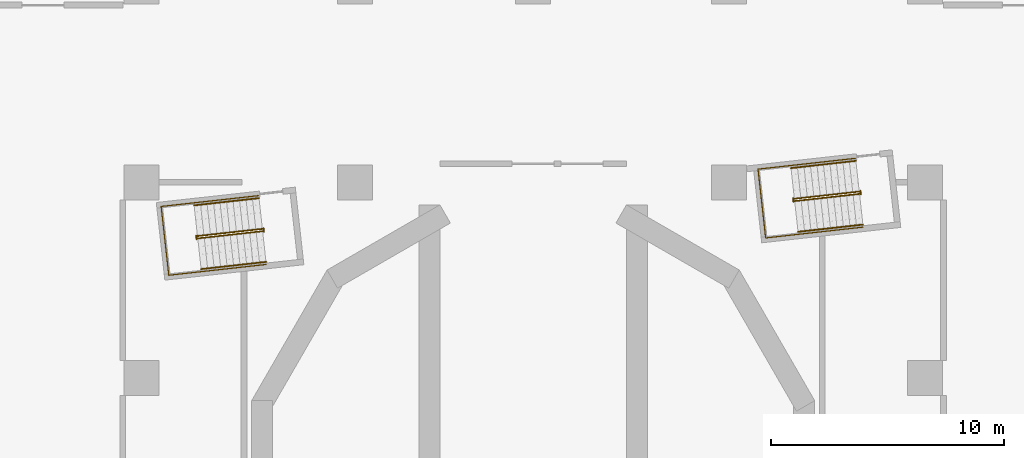
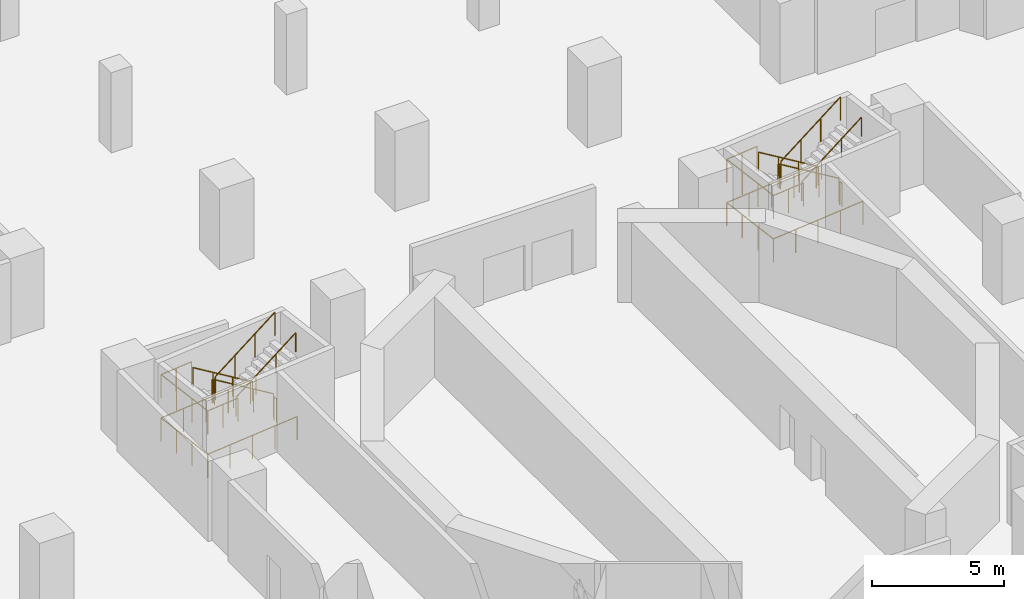
# One storey, part 15 of 18: 14 railings.
"""IFC4 building model written with IfcOpenShell, lengths in metres."""

from ifc_helpers import new_model, si_unit, direction, frame, origin, origin_2d, place, context, subcontext, project, spatial, circle, extrude, material, type_object, element, save


model = new_model("IFC4")

# Units and contexts
model_context = context("Model", 3, precision=1e-05, world=origin(), true_north=direction((0.0, 1.0)))
body_context = subcontext(model_context, "Body", "Model", "MODEL_VIEW")
ifc_project = project(units=[si_unit("LENGTHUNIT", "METRE"), si_unit("AREAUNIT", "SQUARE_METRE"), si_unit("VOLUMEUNIT", "CUBIC_METRE"), si_unit("PLANEANGLEUNIT", "RADIAN"), si_unit("MASSUNIT", "GRAM", prefix="KILO")], contexts=[model_context])

# Site, building, storey
site_placement = place(None, origin())
site = spatial("IfcSite", under=ifc_project, at=site_placement, CompositionType="ELEMENT")
building_placement = place(site_placement, origin())
building = spatial("IfcBuilding", under=site, at=building_placement, Name="Cantera Rosa Tower", CompositionType="ELEMENT")
storey_placement = place(building_placement, frame((0.0, 0.0, -13.0)))
storey = spatial("IfcBuildingStorey", under=building, at=storey_placement, Name="B3", CompositionType="ELEMENT", Elevation=-13.0)

# Railings
ifc_material_1 = material(Name="Steel S355J2 (EN 10025-2)", Category="steel")
railing_type_1 = type_object("IfcRailingType", Name="STAIR GUARD 1100", PredefinedType="GUARDRAIL", material=ifc_material_1)
railing_1_placement = place(storey_placement, frame((13.986083984375, 12.203125, 0.181884765625)))
element("IfcRailing", 1, at=railing_1_placement, inside=storey, type_object=railing_type_1, Name="B3 ST-11 stair guard 1", PredefinedType="GUARDRAIL", context=body_context, shape_type="SweptSolid", body=[
    extrude(circle(Radius=0.02392578125, at=origin_2d()), frame((0.0, 0.0, 1.076171875), z_axis=(-0.833588056777, -0.09250714026, 0.544585512661), x_axis=(0.110297547524, -0.993898612038, 0.0)), (0.0, 0.0, 1.0), 3.338623046875),
    extrude(circle(Radius=0.02392578125, at=origin_2d()), frame((-2.782958984375, -0.308837890625, 2.89404296875), z_axis=(-0.932897555956, 0.360141847183, 0.0), x_axis=(-0.360141847183, -0.932897555956, 0.0)), (0.0, 0.0, 1.0), 0.05615234375),
    extrude(circle(Radius=0.02392578125, at=origin_2d()), frame((-2.83544921875, -0.28857421875, 2.89404296875), z_axis=(0.110789159685, -0.993843932464, 0.0), x_axis=(0.993843932464, 0.110789159685, 0.0)), (0.0, 0.0, 1.0), 0.14990234375),
    extrude(circle(Radius=0.02099609375, at=origin_2d()), origin(), (0.0, 0.0, 1.0), 1.052001953125),
    extrude(circle(Radius=0.02099609375, at=origin_2d()), frame((-0.927734375, -0.10302734375, 0.60595703125)), (0.0, 0.0, 1.0), 1.052001953125),
    extrude(circle(Radius=0.02099609375, at=origin_2d()), frame((-1.855224609375, -0.205810546875, 1.212158203125)), (0.0, 0.0, 1.0), 1.052001953125),
    extrude(circle(Radius=0.02099609375, at=origin_2d()), frame((-2.782958984375, -0.308837890625, 1.818115234375)), (0.0, 0.0, 1.0), 1.052001953125),
    extrude(circle(Radius=0.02099609375, at=origin_2d()), frame((-2.83544921875, -0.28857421875, 1.818115234375)), (0.0, 0.0, 1.0), 1.052001953125),
    extrude(circle(Radius=0.02099609375, at=origin_2d()), frame((-2.81884765625, -0.4375, 1.818115234375)), (0.0, 0.0, 1.0), 1.052001953125),
])
railing_2_placement = place(storey_placement, frame((11.2138671875, 11.796875, 2.181884765625)))
element("IfcRailing", 2, at=railing_2_placement, inside=storey, type_object=railing_type_1, Name="B3 ST-11 stair guard 2", PredefinedType="GUARDRAIL", context=body_context, shape_type="SweptSolid", body=[
    extrude(circle(Radius=0.02392578125, at=origin_2d()), frame((0.0, 0.0, 1.076171875), z_axis=(0.833588056777, 0.09250714026, 0.544585512661), x_axis=(-0.110297547524, 0.993898612038, 0.0)), (0.0, 0.0, 1.0), 3.338623046875),
    extrude(circle(Radius=0.02099609375, at=origin_2d()), origin(), (0.0, 0.0, 1.0), 1.052001953125),
    extrude(circle(Radius=0.02099609375, at=origin_2d()), frame((0.927734375, 0.10302734375, 0.60595703125)), (0.0, 0.0, 1.0), 1.052001953125),
    extrude(circle(Radius=0.02099609375, at=origin_2d()), frame((1.855224609375, 0.205810546875, 1.212158203125)), (0.0, 0.0, 1.0), 1.052001953125),
    extrude(circle(Radius=0.02099609375, at=origin_2d()), frame((2.782958984375, 0.308837890625, 1.818115234375)), (0.0, 0.0, 1.0), 1.052001953125),
])
railing_3_placement = place(storey_placement, frame((14.032958984375, 12.234375, 0.0)))
element("IfcRailing", 3, at=railing_3_placement, inside=storey, type_object=railing_type_1, Name="B3 ST-11 stair guard 3", PredefinedType="GUARDRAIL", context=body_context, shape_type="SweptSolid", body=[
    extrude(circle(Radius=0.02392578125, at=origin_2d()), frame((0.0, 0.0, 1.076171875), z_axis=(0.109179471459, -0.994022053584, 0.0), x_axis=(0.994022053584, 0.109179471459, 0.0)), (0.0, 0.0, 1.0), 0.14990234375),
    extrude(circle(Radius=0.02099609375, at=origin_2d()), origin(), (0.0, 0.0, 1.0), 1.052001953125),
    extrude(circle(Radius=0.02099609375, at=origin_2d()), frame((0.016357421875, -0.14892578125, 0.0)), (0.0, 0.0, 1.0), 1.052001953125),
])
railing_4_placement = place(storey_placement, frame((13.815673828125, 13.629150390625, 0.0)))
element("IfcRailing", 4, at=railing_4_placement, inside=storey, type_object=railing_type_1, Name="B3 ST-11 stair guard 4", PredefinedType="GUARDRAIL", context=body_context, shape_type="SweptSolid", body=[
    extrude(circle(Radius=0.02392578125, at=origin_2d()), frame((0.0, 0.0, 1.076171875), z_axis=(-0.9938957856, -0.110323013767, 0.0), x_axis=(0.110323013767, -0.9938957856, 0.0)), (0.0, 0.0, 1.0), 4.197998046875),
    extrude(circle(Radius=0.02392578125, at=origin_2d()), frame((-4.17236328125, -0.463134765625, 1.076171875), z_axis=(0.110314237986, -0.993896759678, 0.0), x_axis=(0.993896759678, 0.110314237986, 0.0)), (0.0, 0.0, 1.0), 2.969970703125),
    extrude(circle(Radius=0.02392578125, at=origin_2d()), frame((-3.8447265625, -3.4150390625, 1.076171875), z_axis=(0.9938957856, 0.110323013767, 0.0), x_axis=(-0.110323013767, 0.9938957856, 0.0)), (0.0, 0.0, 1.0), 4.197998046875),
    extrude(circle(Radius=0.02099609375, at=origin_2d()), origin(), (0.0, 0.0, 1.0), 1.052001953125),
    extrude(circle(Radius=0.02099609375, at=origin_2d()), frame((-1.04296875, -0.11572265625, 0.0)), (0.0, 0.0, 1.0), 1.052001953125),
    extrude(circle(Radius=0.02099609375, at=origin_2d()), frame((-2.086181640625, -0.2314453125, 0.0)), (0.0, 0.0, 1.0), 1.052001953125),
    extrude(circle(Radius=0.02099609375, at=origin_2d()), frame((-3.12939453125, -0.347412109375, 0.0)), (0.0, 0.0, 1.0), 1.052001953125),
    extrude(circle(Radius=0.02099609375, at=origin_2d()), frame((-4.17236328125, -0.463134765625, 0.0)), (0.0, 0.0, 1.0), 1.052001953125),
    extrude(circle(Radius=0.02099609375, at=origin_2d()), frame((-4.063232421875, -1.447021484375, 0.0)), (0.0, 0.0, 1.0), 1.052001953125),
    extrude(circle(Radius=0.02099609375, at=origin_2d()), frame((-3.953857421875, -2.43115234375, 0.0)), (0.0, 0.0, 1.0), 1.052001953125),
    extrude(circle(Radius=0.02099609375, at=origin_2d()), frame((-3.8447265625, -3.4150390625, 0.0)), (0.0, 0.0, 1.0), 1.052001953125),
    extrude(circle(Radius=0.02099609375, at=origin_2d()), frame((-2.8017578125, -3.29931640625, 0.0)), (0.0, 0.0, 1.0), 1.052001953125),
    extrude(circle(Radius=0.02099609375, at=origin_2d()), frame((-1.758544921875, -3.18359375, 0.0)), (0.0, 0.0, 1.0), 1.052001953125),
    extrude(circle(Radius=0.02099609375, at=origin_2d()), frame((-0.71533203125, -3.067626953125, 0.0)), (0.0, 0.0, 1.0), 1.052001953125),
    extrude(circle(Radius=0.02099609375, at=origin_2d()), frame((0.32763671875, -2.951904296875, 0.0)), (0.0, 0.0, 1.0), 1.052001953125),
])
railing_5_placement = place(storey_placement, frame((11.056640625, 13.32275390625, 2.0)))
element("IfcRailing", 5, at=railing_5_placement, inside=storey, type_object=railing_type_1, Name="B3 ST-11 stair guard 5", PredefinedType="GUARDRAIL", context=body_context, shape_type="SweptSolid", body=[
    extrude(circle(Radius=0.02392578125, at=origin_2d()), frame((0.0, 0.0, 1.076171875), z_axis=(-0.993906744489, -0.110224240795, 0.0), x_axis=(0.110224240795, -0.993906744489, 0.0)), (0.0, 0.0, 1.0), 1.421875),
    extrude(circle(Radius=0.02392578125, at=origin_2d()), frame((-1.413330078125, -0.15673828125, 1.076171875), z_axis=(0.110314237986, -0.993896759678, 0.0), x_axis=(0.993896759678, 0.110314237986, 0.0)), (0.0, 0.0, 1.0), 2.969970703125),
    extrude(circle(Radius=0.02392578125, at=origin_2d()), frame((-1.085693359375, -3.108642578125, 1.076171875), z_axis=(0.993906744489, 0.110224240795, 0.0), x_axis=(-0.110224240795, 0.993906744489, 0.0)), (0.0, 0.0, 1.0), 1.421875),
    extrude(circle(Radius=0.02099609375, at=origin_2d()), origin(), (0.0, 0.0, 1.0), 1.052001953125),
    extrude(circle(Radius=0.02099609375, at=origin_2d()), frame((-0.70654296875, -0.078369140625, 0.0)), (0.0, 0.0, 1.0), 1.052001953125),
    extrude(circle(Radius=0.02099609375, at=origin_2d()), frame((-1.413330078125, -0.15673828125, 0.0)), (0.0, 0.0, 1.0), 1.052001953125),
    extrude(circle(Radius=0.02099609375, at=origin_2d()), frame((-1.30419921875, -1.140625, 0.0)), (0.0, 0.0, 1.0), 1.052001953125),
    extrude(circle(Radius=0.02099609375, at=origin_2d()), frame((-1.19482421875, -2.124755859375, 0.0)), (0.0, 0.0, 1.0), 1.052001953125),
    extrude(circle(Radius=0.02099609375, at=origin_2d()), frame((-1.085693359375, -3.108642578125, 0.0)), (0.0, 0.0, 1.0), 1.052001953125),
    extrude(circle(Radius=0.02099609375, at=origin_2d()), frame((-0.37890625, -3.0302734375, 0.0)), (0.0, 0.0, 1.0), 1.052001953125),
    extrude(circle(Radius=0.02099609375, at=origin_2d()), frame((0.32763671875, -2.951904296875, 0.0)), (0.0, 0.0, 1.0), 1.052001953125),
])
railing_6_placement = place(storey_placement, frame((-11.614013671875, 10.60302734375, 0.181884765625)))
element("IfcRailing", 6, at=railing_6_placement, inside=storey, type_object=railing_type_1, Name="B3 ST-12 stair guard 1", PredefinedType="GUARDRAIL", context=body_context, shape_type="SweptSolid", body=[
    extrude(circle(Radius=0.02392578125, at=origin_2d()), frame((0.0, 0.0, 1.076171875), z_axis=(-0.833588056777, -0.09250714026, 0.544585512661), x_axis=(0.110297547524, -0.993898612038, 0.0)), (0.0, 0.0, 1.0), 3.338623046875),
    extrude(circle(Radius=0.02392578125, at=origin_2d()), frame((-2.782958984375, -0.308837890625, 2.89404296875), z_axis=(-0.931434406233, 0.363909256389, 0.0), x_axis=(-0.363909256389, -0.931434406233, 0.0)), (0.0, 0.0, 1.0), 0.056396484375),
    extrude(circle(Radius=0.02392578125, at=origin_2d()), frame((-2.83544921875, -0.288330078125, 2.89404296875), z_axis=(0.110610055588, -0.993863881828, 0.0), x_axis=(0.993863881828, 0.110610055588, 0.0)), (0.0, 0.0, 1.0), 0.150146484375),
    extrude(circle(Radius=0.02099609375, at=origin_2d()), origin(), (0.0, 0.0, 1.0), 1.052001953125),
    extrude(circle(Radius=0.02099609375, at=origin_2d()), frame((-0.927734375, -0.10302734375, 0.60595703125)), (0.0, 0.0, 1.0), 1.052001953125),
    extrude(circle(Radius=0.02099609375, at=origin_2d()), frame((-1.855224609375, -0.205810546875, 1.212158203125)), (0.0, 0.0, 1.0), 1.052001953125),
    extrude(circle(Radius=0.02099609375, at=origin_2d()), frame((-2.782958984375, -0.308837890625, 1.818115234375)), (0.0, 0.0, 1.0), 1.052001953125),
    extrude(circle(Radius=0.02099609375, at=origin_2d()), frame((-2.83544921875, -0.288330078125, 1.818115234375)), (0.0, 0.0, 1.0), 1.052001953125),
    extrude(circle(Radius=0.02099609375, at=origin_2d()), frame((-2.81884765625, -0.4375, 1.818115234375)), (0.0, 0.0, 1.0), 1.052001953125),
])
railing_7_placement = place(storey_placement, frame((-14.385986328125, 10.19677734375, 2.181884765625)))
element("IfcRailing", 7, at=railing_7_placement, inside=storey, type_object=railing_type_1, Name="B3 ST-12 stair guard 2", PredefinedType="GUARDRAIL", context=body_context, shape_type="SweptSolid", body=[
    extrude(circle(Radius=0.02392578125, at=origin_2d()), frame((0.0, 0.0, 1.076171875), z_axis=(0.833588056777, 0.09250714026, 0.544585512661), x_axis=(-0.110297547524, 0.993898612038, 0.0)), (0.0, 0.0, 1.0), 3.338623046875),
    extrude(circle(Radius=0.02099609375, at=origin_2d()), origin(), (0.0, 0.0, 1.0), 1.052001953125),
    extrude(circle(Radius=0.02099609375, at=origin_2d()), frame((0.927734375, 0.10302734375, 0.60595703125)), (0.0, 0.0, 1.0), 1.052001953125),
    extrude(circle(Radius=0.02099609375, at=origin_2d()), frame((1.855224609375, 0.205810546875, 1.212158203125)), (0.0, 0.0, 1.0), 1.052001953125),
    extrude(circle(Radius=0.02099609375, at=origin_2d()), frame((2.782958984375, 0.308837890625, 1.818115234375)), (0.0, 0.0, 1.0), 1.052001953125),
])
railing_8_placement = place(storey_placement, frame((-11.567138671875, 10.634521484375, 0.0)))
element("IfcRailing", 8, at=railing_8_placement, inside=storey, type_object=railing_type_1, Name="B3 ST-12 stair guard 3", PredefinedType="GUARDRAIL", context=body_context, shape_type="SweptSolid", body=[
    extrude(circle(Radius=0.02392578125, at=origin_2d()), frame((0.0, 0.0, 1.076171875), z_axis=(0.110610055588, -0.993863881828, 0.0), x_axis=(0.993863881828, 0.110610055588, 0.0)), (0.0, 0.0, 1.0), 0.150146484375),
    extrude(circle(Radius=0.02099609375, at=origin_2d()), origin(), (0.0, 0.0, 1.0), 1.052001953125),
    extrude(circle(Radius=0.02099609375, at=origin_2d()), frame((0.0166015625, -0.149169921875, 0.0)), (0.0, 0.0, 1.0), 1.052001953125),
])
railing_9_placement = place(storey_placement, frame((-11.7841796875, 12.029052734375, 0.0)))
element("IfcRailing", 9, at=railing_9_placement, inside=storey, type_object=railing_type_1, Name="B3 ST-12 stair guard 4", PredefinedType="GUARDRAIL", context=body_context, shape_type="SweptSolid", body=[
    extrude(circle(Radius=0.02392578125, at=origin_2d()), frame((0.0, 0.0, 1.076171875), z_axis=(-0.9938957856, -0.110323013767, 0.0), x_axis=(0.110323013767, -0.9938957856, 0.0)), (0.0, 0.0, 1.0), 4.197998046875),
    extrude(circle(Radius=0.02392578125, at=origin_2d()), frame((-4.17236328125, -0.463134765625, 1.076171875), z_axis=(0.11023303584, -0.99390576908, 0.0), x_axis=(0.99390576908, 0.11023303584, 0.0)), (0.0, 0.0, 1.0), 2.969970703125),
    extrude(circle(Radius=0.02392578125, at=origin_2d()), frame((-3.844970703125, -3.4150390625, 1.076171875), z_axis=(0.993896493372, 0.11031663729, 0.0), x_axis=(-0.11031663729, 0.993896493372, 0.0)), (0.0, 0.0, 1.0), 4.1982421875),
    extrude(circle(Radius=0.02099609375, at=origin_2d()), origin(), (0.0, 0.0, 1.0), 1.052001953125),
    extrude(circle(Radius=0.02099609375, at=origin_2d()), frame((-1.04296875, -0.11572265625, 0.0)), (0.0, 0.0, 1.0), 1.052001953125),
    extrude(circle(Radius=0.02099609375, at=origin_2d()), frame((-2.086181640625, -0.2314453125, 0.0)), (0.0, 0.0, 1.0), 1.052001953125),
    extrude(circle(Radius=0.02099609375, at=origin_2d()), frame((-3.12939453125, -0.347412109375, 0.0)), (0.0, 0.0, 1.0), 1.052001953125),
    extrude(circle(Radius=0.02099609375, at=origin_2d()), frame((-4.17236328125, -0.463134765625, 0.0)), (0.0, 0.0, 1.0), 1.052001953125),
    extrude(circle(Radius=0.02099609375, at=origin_2d()), frame((-4.063232421875, -1.447021484375, 0.0)), (0.0, 0.0, 1.0), 1.052001953125),
    extrude(circle(Radius=0.02099609375, at=origin_2d()), frame((-3.9541015625, -2.43115234375, 0.0)), (0.0, 0.0, 1.0), 1.052001953125),
    extrude(circle(Radius=0.02099609375, at=origin_2d()), frame((-3.844970703125, -3.4150390625, 0.0)), (0.0, 0.0, 1.0), 1.052001953125),
    extrude(circle(Radius=0.02099609375, at=origin_2d()), frame((-2.8017578125, -3.29931640625, 0.0)), (0.0, 0.0, 1.0), 1.052001953125),
    extrude(circle(Radius=0.02099609375, at=origin_2d()), frame((-1.7587890625, -3.18359375, 0.0)), (0.0, 0.0, 1.0), 1.052001953125),
    extrude(circle(Radius=0.02099609375, at=origin_2d()), frame((-0.715576171875, -3.067626953125, 0.0)), (0.0, 0.0, 1.0), 1.052001953125),
    extrude(circle(Radius=0.02099609375, at=origin_2d()), frame((0.32763671875, -2.951904296875, 0.0)), (0.0, 0.0, 1.0), 1.052001953125),
])
railing_10_placement = place(storey_placement, frame((-14.54345703125, 11.722900390625, 2.0)))
element("IfcRailing", 10, at=railing_10_placement, inside=storey, type_object=railing_type_1, Name="B3 ST-12 stair guard 5", PredefinedType="GUARDRAIL", context=body_context, shape_type="SweptSolid", body=[
    extrude(circle(Radius=0.02392578125, at=origin_2d()), frame((0.0, 0.0, 1.076171875), z_axis=(-0.993885828579, -0.110412679298, 0.0), x_axis=(0.110412679298, -0.993885828579, 0.0)), (0.0, 0.0, 1.0), 1.421875),
    extrude(circle(Radius=0.02392578125, at=origin_2d()), frame((-1.4130859375, -0.156982421875, 1.076171875), z_axis=(0.11023303584, -0.99390576908, 0.0), x_axis=(0.99390576908, 0.11023303584, 0.0)), (0.0, 0.0, 1.0), 2.969970703125),
    extrude(circle(Radius=0.02392578125, at=origin_2d()), frame((-1.085693359375, -3.10888671875, 1.076171875), z_axis=(0.993887921413, 0.110393838913, 0.0), x_axis=(-0.110393838913, 0.993887921413, 0.0)), (0.0, 0.0, 1.0), 1.422119140625),
    extrude(circle(Radius=0.02099609375, at=origin_2d()), origin(), (0.0, 0.0, 1.0), 1.052001953125),
    extrude(circle(Radius=0.02099609375, at=origin_2d()), frame((-0.70654296875, -0.07861328125, 0.0)), (0.0, 0.0, 1.0), 1.052001953125),
    extrude(circle(Radius=0.02099609375, at=origin_2d()), frame((-1.4130859375, -0.156982421875, 0.0)), (0.0, 0.0, 1.0), 1.052001953125),
    extrude(circle(Radius=0.02099609375, at=origin_2d()), frame((-1.303955078125, -1.140869140625, 0.0)), (0.0, 0.0, 1.0), 1.052001953125),
    extrude(circle(Radius=0.02099609375, at=origin_2d()), frame((-1.19482421875, -2.125, 0.0)), (0.0, 0.0, 1.0), 1.052001953125),
    extrude(circle(Radius=0.02099609375, at=origin_2d()), frame((-1.085693359375, -3.10888671875, 0.0)), (0.0, 0.0, 1.0), 1.052001953125),
    extrude(circle(Radius=0.02099609375, at=origin_2d()), frame((-0.37890625, -3.0302734375, 0.0)), (0.0, 0.0, 1.0), 1.052001953125),
    extrude(circle(Radius=0.02099609375, at=origin_2d()), frame((0.32763671875, -2.951904296875, 0.0)), (0.0, 0.0, 1.0), 1.052001953125),
])
ifc_material_2 = material(Name="Steel S355J2 (EN 10025-2)", Category="steel")
railing_type_2 = type_object("IfcRailingType", Name="STAIR HANDRAIL 900", PredefinedType="HANDRAIL", material=ifc_material_2)
railing_11_placement = place(storey_placement, frame((13.83984375, 13.52099609375, 0.181884765625)))
element("IfcRailing", 11, at=railing_11_placement, inside=storey, type_object=railing_type_2, Name="B3 ST-11 stair handrail 1", PredefinedType="HANDRAIL", context=body_context, shape_type="SweptSolid", body=[
    extrude(circle(Radius=0.02392578125, at=origin_2d()), frame((0.0, 0.0, 0.8759765625), z_axis=(-0.833588056777, -0.09250714026, 0.544585512661), x_axis=(0.110297547524, -0.993898612038, 0.0)), (0.0, 0.0, 1.0), 3.338623046875),
    extrude(circle(Radius=0.02099609375, at=origin_2d()), origin(), (0.0, 0.0, 1.0), 0.851806640625),
    extrude(circle(Radius=0.02099609375, at=origin_2d()), frame((-0.927734375, -0.10302734375, 0.60595703125)), (0.0, 0.0, 1.0), 0.851806640625),
    extrude(circle(Radius=0.02099609375, at=origin_2d()), frame((-1.855224609375, -0.205810546875, 1.212158203125)), (0.0, 0.0, 1.0), 0.851806640625),
    extrude(circle(Radius=0.02099609375, at=origin_2d()), frame((-2.782958984375, -0.308837890625, 1.818115234375)), (0.0, 0.0, 1.0), 0.851806640625),
])
railing_12_placement = place(storey_placement, frame((11.360107421875, 10.47900390625, 2.181884765625)))
element("IfcRailing", 12, at=railing_12_placement, inside=storey, type_object=railing_type_2, Name="B3 ST-11 stair handrail 2", PredefinedType="HANDRAIL", context=body_context, shape_type="SweptSolid", body=[
    extrude(circle(Radius=0.02392578125, at=origin_2d()), frame((0.0, 0.0, 0.8759765625), z_axis=(0.833588056777, 0.09250714026, 0.544585512661), x_axis=(-0.110297547524, 0.993898612038, 0.0)), (0.0, 0.0, 1.0), 3.338623046875),
    extrude(circle(Radius=0.02099609375, at=origin_2d()), origin(), (0.0, 0.0, 1.0), 0.851806640625),
    extrude(circle(Radius=0.02099609375, at=origin_2d()), frame((0.927734375, 0.10302734375, 0.60595703125)), (0.0, 0.0, 1.0), 0.851806640625),
    extrude(circle(Radius=0.02099609375, at=origin_2d()), frame((1.855224609375, 0.205810546875, 1.212158203125)), (0.0, 0.0, 1.0), 0.851806640625),
    extrude(circle(Radius=0.02099609375, at=origin_2d()), frame((2.782958984375, 0.308837890625, 1.818115234375)), (0.0, 0.0, 1.0), 0.851806640625),
])
railing_13_placement = place(storey_placement, frame((-11.76025390625, 11.921142578125, 0.181884765625)))
element("IfcRailing", 13, at=railing_13_placement, inside=storey, type_object=railing_type_2, Name="B3 ST-12 stair handrail 1", PredefinedType="HANDRAIL", context=body_context, shape_type="SweptSolid", body=[
    extrude(circle(Radius=0.02392578125, at=origin_2d()), frame((0.0, 0.0, 0.8759765625), z_axis=(-0.833582415484, -0.092579641899, 0.544581827187), x_axis=(0.110383677283, -0.99388905004, 0.0)), (0.0, 0.0, 1.0), 3.338623046875),
    extrude(circle(Radius=0.02099609375, at=origin_2d()), origin(), (0.0, 0.0, 1.0), 0.851806640625),
    extrude(circle(Radius=0.02099609375, at=origin_2d()), frame((-0.927734375, -0.10302734375, 0.60595703125)), (0.0, 0.0, 1.0), 0.851806640625),
    extrude(circle(Radius=0.02099609375, at=origin_2d()), frame((-1.855224609375, -0.2060546875, 1.212158203125)), (0.0, 0.0, 1.0), 0.851806640625),
    extrude(circle(Radius=0.02099609375, at=origin_2d()), frame((-2.782958984375, -0.30908203125, 1.818115234375)), (0.0, 0.0, 1.0), 0.851806640625),
])
railing_14_placement = place(storey_placement, frame((-14.23974609375, 8.87890625, 2.181884765625)))
element("IfcRailing", 14, at=railing_14_placement, inside=storey, type_object=railing_type_2, Name="B3 ST-12 stair handrail 2", PredefinedType="HANDRAIL", context=body_context, shape_type="SweptSolid", body=[
    extrude(circle(Radius=0.02392578125, at=origin_2d()), frame((0.0, 0.0, 0.8759765625), z_axis=(0.833588056777, 0.09250714026, 0.544585512661), x_axis=(-0.110297547524, 0.993898612038, 0.0)), (0.0, 0.0, 1.0), 3.338623046875),
    extrude(circle(Radius=0.02099609375, at=origin_2d()), origin(), (0.0, 0.0, 1.0), 0.851806640625),
    extrude(circle(Radius=0.02099609375, at=origin_2d()), frame((0.927734375, 0.10302734375, 0.60595703125)), (0.0, 0.0, 1.0), 0.851806640625),
    extrude(circle(Radius=0.02099609375, at=origin_2d()), frame((1.855224609375, 0.205810546875, 1.212158203125)), (0.0, 0.0, 1.0), 0.851806640625),
    extrude(circle(Radius=0.02099609375, at=origin_2d()), frame((2.782958984375, 0.308837890625, 1.818115234375)), (0.0, 0.0, 1.0), 0.851806640625),
])

save(model, "model.ifc")
